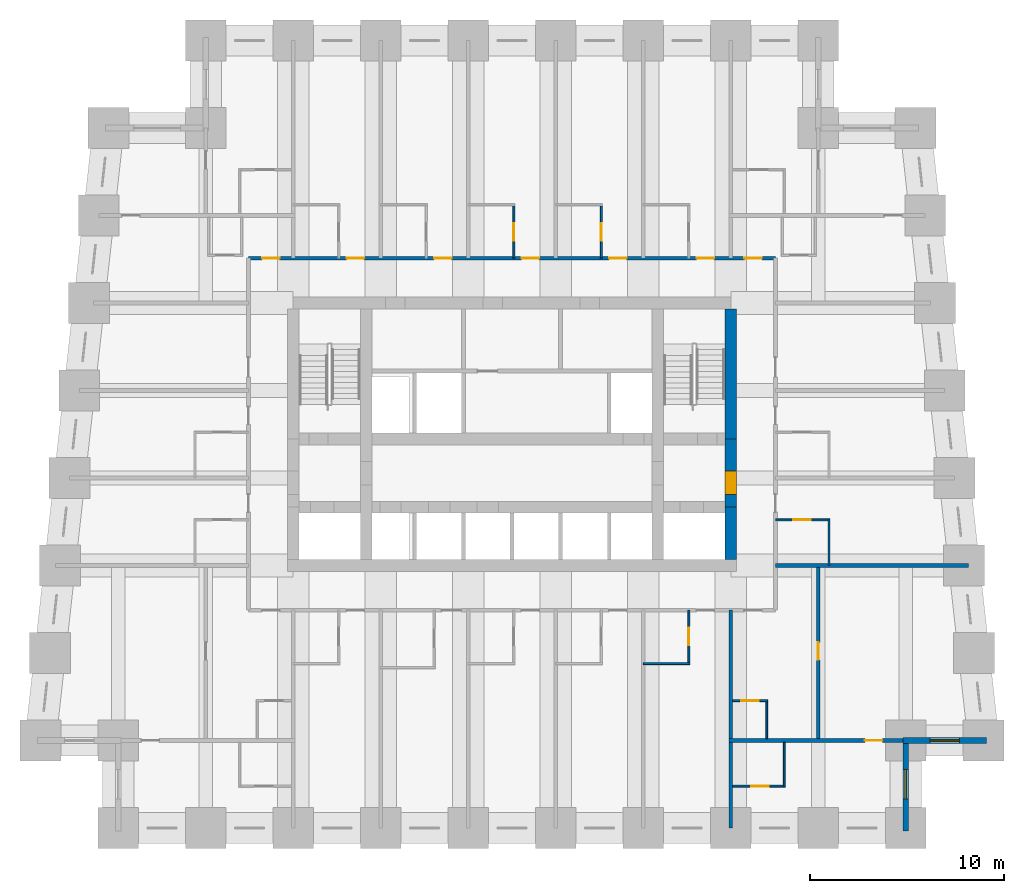
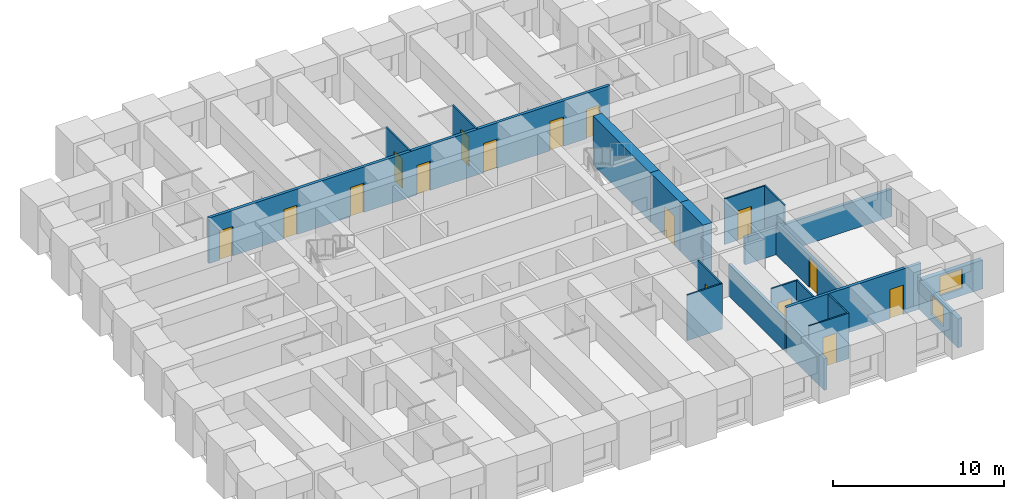
# One storey, part 5 of 8: 20 walls, 16 doors, 2 windows, 18 openings.
"""IFC4 building model written with IfcOpenShell, lengths in metres."""

from ifc_helpers import new_model, si_unit, direction, frame, frame_2d, origin, place, context, subcontext, project, spatial, rectangle, extrude, material, layer, layer_set, type_object, element, fill, save


model = new_model("IFC4")

# Units and contexts
model_context = context("Model", 3, precision=1e-05, world=origin(), true_north=direction((0.0, 1.0)))
body_context = subcontext(model_context, "Body", "Model", "MODEL_VIEW")
ifc_project = project(units=[si_unit("LENGTHUNIT", "METRE"), si_unit("AREAUNIT", "SQUARE_METRE"), si_unit("VOLUMEUNIT", "CUBIC_METRE"), si_unit("PLANEANGLEUNIT", "RADIAN"), si_unit("MASSUNIT", "GRAM", prefix="KILO")], contexts=[model_context])

# Site, building, storey
site_placement = place(None, origin())
site = spatial("IfcSite", under=ifc_project, at=site_placement, CompositionType="ELEMENT")
building_placement = place(site_placement, origin())
building = spatial("IfcBuilding", under=site, at=building_placement, Name="Kilele Tower Hotel", CompositionType="ELEMENT")
storey_placement = place(building_placement, frame((0.0, 0.0, 33.199951171875)))
storey = spatial("IfcBuildingStorey", under=building, at=storey_placement, Name="L06", CompositionType="ELEMENT", Elevation=33.199951171875)

# Wall
ifc_material_1 = material(Name="Moisture-resistant board")
ifc_layer_1 = layer(ifc_material_1, 0.10009765625)
ifc_layer_set_1 = layer_set([ifc_layer_1], Name="Moisture-resistant board")
wall_type_1 = type_object("IfcWallType", Name="Bathroom partition 100", PredefinedType="PLUMBINGWALL", material=ifc_layer_set_1)
wall_1_placement = place(storey_placement, frame((31.5, 8.449951171875, 0.0), z_axis=(0.0, 0.0, 1.0), x_axis=(1.0, 0.0, 0.0)))
element("IfcWall", 1, at=wall_1_placement, inside=storey, type_object=wall_type_1, Name="Bathroom partition 100 L06", PredefinedType="PLUMBINGWALL", context=body_context, shape_type="SweptSolid", body=[
    extrude(rectangle(XDim=2.39990234375, YDim=0.10009765625, at=frame_2d((1.199951171875, 0.0))), origin(), (0.0, 0.0, 1.0), 3.25),
])

# Wall, opening, door
wall_2_placement = place(storey_placement, frame((33.85009765625, 11.199951171875, 0.0), z_axis=(0.0, 0.0, 1.0), x_axis=(0.0, -1.0, 0.0)))
wall_2 = element("IfcWall", 2, at=wall_2_placement, inside=storey, type_object=wall_type_1, Name="Bathroom partition 100 L06", PredefinedType="PLUMBINGWALL", context=body_context, shape_type="SweptSolid", body=[
    extrude(rectangle(XDim=2.800048828125, YDim=0.10009765625, at=frame_2d((1.39990234375, 0.0))), origin(), (0.0, 0.0, 1.0), 3.25),
])
opening_1_placement = place(wall_2_placement, frame((0.89990234375, 0.0, 0.0)))
opening_1 = element("IfcOpeningElement", 3, at=opening_1_placement, cuts=wall_2, Name="Opening D2A", PredefinedType="OPENING", context=body_context, shape_type="SweptSolid", body=[
    extrude(rectangle(XDim=0.89990234375, YDim=2.10009765625, at=frame_2d((0.449951171875, 1.050048828125))), frame((0.0, 0.06005859375, 0.0), z_axis=(0.0, -1.0, 0.0), x_axis=(1.0, 0.0, 0.0)), (0.0, 0.0, 1.0), 0.1201171875),
])
ifc_material_2 = material(Name="Timber door leaf in hardwood frame", Category="wood")
door_type_1 = type_object("IfcDoorType", Name="Bathroom door 900", OperationType="SINGLE_SWING_LEFT", PredefinedType="DOOR", material=ifc_material_2)
door_1_placement = place(opening_1_placement, origin())
door_1 = element("IfcDoor", 4, at=door_1_placement, inside=storey, type_object=door_type_1, Name="Bathroom door 0605B", OperationType="SINGLE_SWING_LEFT", OverallHeight=2.10009765625, OverallWidth=0.89990234375, PredefinedType="DOOR", context=body_context, shape_type="SweptSolid", body=[
    extrude(rectangle(XDim=0.89990234375, YDim=2.10009765625, at=frame_2d((0.449951171875, 1.050048828125))), frame((0.0, 0.02490234375, 0.0), z_axis=(0.0, -1.0, 0.0), x_axis=(1.0, 0.0, 0.0)), (0.0, 0.0, 1.0), 0.050048828125),
])
fill(opening_1, door_1)

# Wall
wall_3_placement = place(storey_placement, frame((41.050048828125, 13.5, 0.0), z_axis=(0.0, 0.0, 1.0), x_axis=(0.0, 1.0, 0.0)))
element("IfcWall", 5, at=wall_3_placement, inside=storey, type_object=wall_type_1, Name="Bathroom partition 100 L06", PredefinedType="PLUMBINGWALL", context=body_context, shape_type="SweptSolid", body=[
    extrude(rectangle(XDim=2.39990234375, YDim=0.10009765625, at=frame_2d((1.199951171875, 0.0))), origin(), (0.0, 0.0, 1.0), 3.25),
])

# Wall, opening, door
wall_4_placement = place(storey_placement, frame((38.300048828125, 15.85009765625, 0.0), z_axis=(0.0, 0.0, 1.0), x_axis=(1.0, 0.0, 0.0)))
wall_4 = element("IfcWall", 6, at=wall_4_placement, inside=storey, type_object=wall_type_1, Name="Bathroom partition 100 L06", PredefinedType="PLUMBINGWALL", context=body_context, shape_type="SweptSolid", body=[
    extrude(rectangle(XDim=2.800048828125, YDim=0.10009765625, at=frame_2d((1.39990234375, 0.0))), origin(), (0.0, 0.0, 1.0), 3.25),
])
opening_2_placement = place(wall_4_placement, frame((0.89990234375, 0.0, 0.0)))
opening_2 = element("IfcOpeningElement", 7, at=opening_2_placement, cuts=wall_4, Name="Opening D2A", PredefinedType="OPENING", context=body_context, shape_type="SweptSolid", body=[
    extrude(rectangle(XDim=0.89990234375, YDim=2.10009765625, at=frame_2d((0.449951171875, 1.050048828125))), frame((0.0, 0.06005859375, 0.0), z_axis=(0.0, -1.0, 0.0), x_axis=(1.0, 0.0, 0.0)), (0.0, 0.0, 1.0), 0.1201171875),
])
door_2_placement = place(opening_2_placement, origin())
door_2 = element("IfcDoor", 8, at=door_2_placement, inside=storey, type_object=door_type_1, Name="Bathroom door 0606B", OperationType="SINGLE_SWING_LEFT", OverallHeight=2.10009765625, OverallWidth=0.89990234375, PredefinedType="DOOR", context=body_context, shape_type="SweptSolid", body=[
    extrude(rectangle(XDim=0.89990234375, YDim=2.10009765625, at=frame_2d((0.449951171875, 1.050048828125))), frame((0.0, 0.02490234375, 0.0), z_axis=(0.0, -1.0, 0.0), x_axis=(1.0, 0.0, 0.0)), (0.0, 0.0, 1.0), 0.050048828125),
])
fill(opening_2, door_2)

wall_5_placement = place(storey_placement, frame((24.85009765625, 29.300048828125, 0.0), z_axis=(0.0, 0.0, 1.0), x_axis=(0.0, 1.0, 0.0)))
wall_5 = element("IfcWall", 9, at=wall_5_placement, inside=storey, type_object=wall_type_1, Name="Bathroom partition 100 L06", PredefinedType="PLUMBINGWALL", context=body_context, shape_type="SweptSolid", body=[
    extrude(rectangle(XDim=2.800048828125, YDim=0.10009765625, at=frame_2d((1.39990234375, 0.0))), origin(), (0.0, 0.0, 1.0), 3.25),
])
opening_3_placement = place(wall_5_placement, frame((1.7998046875, 0.0, 0.0), z_axis=(0.0, 0.0, 1.0), x_axis=(-1.0, 0.0, 0.0)))
opening_3 = element("IfcOpeningElement", 10, at=opening_3_placement, cuts=wall_5, Name="Opening D2A", PredefinedType="OPENING", context=body_context, shape_type="SweptSolid", body=[
    extrude(rectangle(XDim=0.89990234375, YDim=2.10009765625, at=frame_2d((0.449951171875, 1.050048828125))), frame((0.0, 0.06005859375, 0.0), z_axis=(0.0, -1.0, 0.0), x_axis=(1.0, 0.0, 0.0)), (0.0, 0.0, 1.0), 0.1201171875),
])
door_3_placement = place(opening_3_placement, origin())
door_3 = element("IfcDoor", 11, at=door_3_placement, inside=storey, type_object=door_type_1, Name="Bathroom door 0611B", OperationType="SINGLE_SWING_RIGHT", OverallHeight=2.10009765625, OverallWidth=0.89990234375, PredefinedType="DOOR", context=body_context, shape_type="SweptSolid", body=[
    extrude(rectangle(XDim=0.89990234375, YDim=2.10009765625, at=frame_2d((0.449951171875, 1.050048828125))), frame((0.0, 0.02490234375, 0.0), z_axis=(0.0, -1.0, 0.0), x_axis=(1.0, 0.0, 0.0)), (0.0, 0.0, 1.0), 0.050048828125),
])
fill(opening_3, door_3)

wall_6_placement = place(storey_placement, frame((29.35009765625, 29.300048828125, 0.0), z_axis=(0.0, 0.0, 1.0), x_axis=(0.0, 1.0, 0.0)))
wall_6 = element("IfcWall", 12, at=wall_6_placement, inside=storey, type_object=wall_type_1, Name="Bathroom partition 100 L06", PredefinedType="PLUMBINGWALL", context=body_context, shape_type="SweptSolid", body=[
    extrude(rectangle(XDim=2.800048828125, YDim=0.10009765625, at=frame_2d((1.39990234375, 0.0))), origin(), (0.0, 0.0, 1.0), 3.25),
])
opening_4_placement = place(wall_6_placement, frame((1.7998046875, 0.0, 0.0), z_axis=(0.0, 0.0, 1.0), x_axis=(-1.0, 0.0, 0.0)))
opening_4 = element("IfcOpeningElement", 13, at=opening_4_placement, cuts=wall_6, Name="Opening D2A", PredefinedType="OPENING", context=body_context, shape_type="SweptSolid", body=[
    extrude(rectangle(XDim=0.89990234375, YDim=2.10009765625, at=frame_2d((0.449951171875, 1.050048828125))), frame((0.0, 0.06005859375, 0.0), z_axis=(0.0, -1.0, 0.0), x_axis=(1.0, 0.0, 0.0)), (0.0, 0.0, 1.0), 0.1201171875),
])
door_4_placement = place(opening_4_placement, origin())
door_4 = element("IfcDoor", 14, at=door_4_placement, inside=storey, type_object=door_type_1, Name="Bathroom door 0612B", OperationType="SINGLE_SWING_RIGHT", OverallHeight=2.10009765625, OverallWidth=0.89990234375, PredefinedType="DOOR", context=body_context, shape_type="SweptSolid", body=[
    extrude(rectangle(XDim=0.89990234375, YDim=2.10009765625, at=frame_2d((0.449951171875, 1.050048828125))), frame((0.0, 0.02490234375, 0.0), z_axis=(0.0, -1.0, 0.0), x_axis=(1.0, 0.0, 0.0)), (0.0, 0.0, 1.0), 0.050048828125),
])
fill(opening_4, door_4)

# Wall
wall_7_placement = place(storey_placement, frame((37.85009765625, 4.60009765625, 0.0), z_axis=(0.0, 0.0, 1.0), x_axis=(0.0, 1.0, 0.0)))
element("IfcWall", 15, at=wall_7_placement, inside=storey, type_object=wall_type_1, Name="Bathroom partition 100 L06", PredefinedType="PLUMBINGWALL", context=body_context, shape_type="SweptSolid", body=[
    extrude(rectangle(XDim=2.0, YDim=0.10009765625, at=frame_2d((1.0, 0.0))), origin(), (0.0, 0.0, 1.0), 3.25),
])

# Wall, opening, door
wall_8_placement = place(storey_placement, frame((36.10009765625, 6.550048828125, 0.0), z_axis=(0.0, 0.0, 1.0), x_axis=(1.0, 0.0, 0.0)))
wall_8 = element("IfcWall", 16, at=wall_8_placement, inside=storey, type_object=wall_type_1, Name="Bathroom partition 100 L06", PredefinedType="PLUMBINGWALL", context=body_context, shape_type="SweptSolid", body=[
    extrude(rectangle(XDim=1.7998046875, YDim=0.10009765625, at=frame_2d((0.89990234375, 0.0))), origin(), (0.0, 0.0, 1.0), 3.25),
])
opening_5_placement = place(wall_8_placement, frame((0.449951171875, 0.0, 0.0)))
opening_5 = element("IfcOpeningElement", 17, at=opening_5_placement, cuts=wall_8, Name="Opening D2A", PredefinedType="OPENING", context=body_context, shape_type="SweptSolid", body=[
    extrude(rectangle(XDim=0.89990234375, YDim=2.10009765625, at=frame_2d((0.449951171875, 1.050048828125))), frame((0.0, 0.06005859375, 0.0), z_axis=(0.0, -1.0, 0.0), x_axis=(1.0, 0.0, 0.0)), (0.0, 0.0, 1.0), 0.1201171875),
])
door_5_placement = place(opening_5_placement, origin())
door_5 = element("IfcDoor", 18, at=door_5_placement, inside=storey, type_object=door_type_1, Name="Bathroom door 0620P", OperationType="SINGLE_SWING_LEFT", OverallHeight=2.10009765625, OverallWidth=0.89990234375, PredefinedType="DOOR", context=body_context, shape_type="SweptSolid", body=[
    extrude(rectangle(XDim=0.89990234375, YDim=2.10009765625, at=frame_2d((0.449951171875, 1.050048828125))), frame((0.0, 0.02490234375, 0.0), z_axis=(0.0, -1.0, 0.0), x_axis=(1.0, 0.0, 0.0)), (0.0, 0.0, 1.0), 0.050048828125),
])
fill(opening_5, door_5)

# Wall
wall_9_placement = place(storey_placement, frame((38.75, 4.39990234375, 0.0), z_axis=(0.0, 0.0, 1.0), x_axis=(0.0, -1.0, 0.0)))
element("IfcWall", 19, at=wall_9_placement, inside=storey, type_object=wall_type_1, Name="Bathroom partition 100 L06", PredefinedType="PLUMBINGWALL", context=body_context, shape_type="SweptSolid", body=[
    extrude(rectangle(XDim=2.2998046875, YDim=0.10009765625, at=frame_2d((1.14990234375, 0.0))), origin(), (0.0, 0.0, 1.0), 3.25),
])

# Wall, opening, door
wall_10_placement = place(storey_placement, frame((36.10009765625, 2.14990234375, 0.0), z_axis=(0.0, 0.0, 1.0), x_axis=(1.0, 0.0, 0.0)))
wall_10 = element("IfcWall", 20, at=wall_10_placement, inside=storey, type_object=wall_type_1, Name="Bathroom partition 100 L06", PredefinedType="PLUMBINGWALL", context=body_context, shape_type="SweptSolid", body=[
    extrude(rectangle(XDim=2.699951171875, YDim=0.10009765625, at=frame_2d((1.35009765625, 0.0))), origin(), (0.0, 0.0, 1.0), 3.25),
])
opening_6_placement = place(wall_10_placement, frame((1.849853515625, 0.0, 0.0), z_axis=(0.0, 0.0, 1.0), x_axis=(-1.0, 0.0, 0.0)))
opening_6 = element("IfcOpeningElement", 21, at=opening_6_placement, cuts=wall_10, Name="Opening D2A", PredefinedType="OPENING", context=body_context, shape_type="SweptSolid", body=[
    extrude(rectangle(XDim=0.89990234375, YDim=2.10009765625, at=frame_2d((0.449951171875, 1.050048828125))), frame((0.0, 0.06005859375, 0.0), z_axis=(0.0, -1.0, 0.0), x_axis=(1.0, 0.0, 0.0)), (0.0, 0.0, 1.0), 0.1201171875),
])
door_6_placement = place(opening_6_placement, origin())
door_6 = element("IfcDoor", 22, at=door_6_placement, inside=storey, type_object=door_type_1, Name="Bathroom door 0622B", OperationType="SINGLE_SWING_RIGHT", OverallHeight=2.10009765625, OverallWidth=0.89990234375, PredefinedType="DOOR", context=body_context, shape_type="SweptSolid", body=[
    extrude(rectangle(XDim=0.89990234375, YDim=2.10009765625, at=frame_2d((0.449951171875, 1.050048828125))), frame((0.0, 0.02490234375, 0.0), z_axis=(0.0, -1.0, 0.0), x_axis=(1.0, 0.0, 0.0)), (0.0, 0.0, 1.0), 0.050048828125),
])
fill(opening_6, door_6)

# Wall
ifc_material_3 = material(Name="Concrete C60/75", Category="concrete")
ifc_layer_2 = layer(ifc_material_3, 0.60009765625)
ifc_layer_set_2 = layer_set([ifc_layer_2], Name="Concrete C60/75")
wall_type_2 = type_object("IfcWallType", Name="Core wall 600 C60/75", PredefinedType="SHEAR", material=ifc_layer_set_2)
wall_11_placement = place(storey_placement, frame((36.0, 13.800048828125, 0.0), z_axis=(0.0, 0.0, 1.0), x_axis=(0.0, 1.0, 0.0)))
element("IfcWall", 23, at=wall_11_placement, inside=storey, type_object=wall_type_2, Name="Core wall E1 L06", PredefinedType="SHEAR", context=body_context, shape_type="SweptSolid", body=[
    extrude(rectangle(XDim=2.699951171875, YDim=0.60009765625, at=frame_2d((1.35009765625, 0.0))), origin(), (0.0, 0.0, 1.0), 3.5),
])

# Wall, opening, door
wall_12_placement = place(storey_placement, frame((36.0, 16.5, 0.0), z_axis=(0.0, 0.0, 1.0), x_axis=(0.0, 1.0, 0.0)))
wall_12 = element("IfcWall", 24, at=wall_12_placement, inside=storey, type_object=wall_type_2, Name="Core wall E2 L06", PredefinedType="SHEAR", context=body_context, shape_type="SweptSolid", body=[
    extrude(rectangle(XDim=3.5, YDim=0.60009765625, at=frame_2d((1.75, 0.0))), origin(), (0.0, 0.0, 1.0), 3.5),
])
opening_7_placement = place(wall_12_placement, frame((0.64990234375, 0.0, 0.0)))
opening_7 = element("IfcOpeningElement", 25, at=opening_7_placement, cuts=wall_12, Name="Opening D4", PredefinedType="OPENING", context=body_context, shape_type="SweptSolid", body=[
    extrude(rectangle(XDim=1.199951171875, YDim=2.10009765625, at=frame_2d((0.60009765625, 1.050048828125))), frame((0.0, 0.31005859375, 0.0), z_axis=(0.0, -1.0, 0.0), x_axis=(1.0, 0.0, 0.0)), (0.0, 0.0, 1.0), 0.6201171875),
])
ifc_material_4 = material(Name="Timber door leaf in hardwood frame", Category="wood")
door_type_2 = type_object("IfcDoorType", Name="Firefighting lobby door 1200", OperationType="SINGLE_SWING_LEFT", PredefinedType="DOOR", material=ifc_material_4)
door_7_placement = place(opening_7_placement, origin())
door_7 = element("IfcDoor", 26, at=door_7_placement, inside=storey, type_object=door_type_2, Name="Lobby door L06", OperationType="SINGLE_SWING_LEFT", OverallHeight=2.10009765625, OverallWidth=1.199951171875, PredefinedType="DOOR", context=body_context, shape_type="SweptSolid", body=[
    extrude(rectangle(XDim=1.199951171875, YDim=2.10009765625, at=frame_2d((0.60009765625, 1.050048828125))), frame((0.0, 0.2998046875, 0.0), z_axis=(0.0, -1.0, 0.0), x_axis=(1.0, 0.0, 0.0)), (0.0, 0.0, 1.0), 0.599609375),
])
fill(opening_7, door_7)

# Wall
wall_13_placement = place(storey_placement, frame((36.0, 20.0, 0.0), z_axis=(0.0, 0.0, 1.0), x_axis=(0.0, 1.0, 0.0)))
element("IfcWall", 27, at=wall_13_placement, inside=storey, type_object=wall_type_2, Name="Core wall E3 L06", PredefinedType="SHEAR", context=body_context, shape_type="SweptSolid", body=[
    extrude(rectangle(XDim=6.699951171875, YDim=0.60009765625, at=frame_2d((3.35009765625, 0.0))), origin(), (0.0, 0.0, 1.0), 3.5),
])

# Wall, openings, doors
ifc_material_5 = material(Name="Blockwork, plastered both sides", Category="masonry")
ifc_layer_3 = layer(ifc_material_5, 0.199951171875)
ifc_layer_set_3 = layer_set([ifc_layer_3], Name="Blockwork, plastered both sides")
wall_type_3 = type_object("IfcWallType", Name="Corridor wall 200", PredefinedType="PARTITIONING", material=ifc_layer_set_3)
wall_14_placement = place(storey_placement, frame((11.199951171875, 29.300048828125, 0.0), z_axis=(0.0, 0.0, 1.0), x_axis=(1.0, 0.0, 0.0)))
wall_14 = element("IfcWall", 28, at=wall_14_placement, inside=storey, type_object=wall_type_3, Name="Corridor wall 200 L06", PredefinedType="PARTITIONING", context=body_context, shape_type="SweptSolid", body=[
    extrude(rectangle(XDim=27.10009765625, YDim=0.199951171875, at=frame_2d((13.550048828125, 0.0))), origin(), (0.0, 0.0, 1.0), 3.25),
])
opening_8_placement = place(wall_14_placement, frame((5.050048828125, 0.0, 0.0)))
opening_8 = element("IfcOpeningElement", 29, at=opening_8_placement, cuts=wall_14, Name="Opening D1", PredefinedType="OPENING", context=body_context, shape_type="SweptSolid", body=[
    extrude(rectangle(XDim=0.89990234375, YDim=2.10009765625, at=frame_2d((0.449951171875, 1.050048828125))), frame((0.0, 0.10986328125, 0.0), z_axis=(0.0, -1.0, 0.0), x_axis=(1.0, 0.0, 0.0)), (0.0, 0.0, 1.0), 0.219970703125),
])
opening_9_placement = place(wall_14_placement, frame((9.550048828125, 0.0, 0.0)))
opening_9 = element("IfcOpeningElement", 30, at=opening_9_placement, cuts=wall_14, Name="Opening D1", PredefinedType="OPENING", context=body_context, shape_type="SweptSolid", body=[
    extrude(rectangle(XDim=0.89990234375, YDim=2.10009765625, at=frame_2d((0.449951171875, 1.050048828125))), frame((0.0, 0.10986328125, 0.0), z_axis=(0.0, -1.0, 0.0), x_axis=(1.0, 0.0, 0.0)), (0.0, 0.0, 1.0), 0.219970703125),
])
opening_10_placement = place(wall_14_placement, frame((14.050048828125, 0.0, 0.0)))
opening_10 = element("IfcOpeningElement", 31, at=opening_10_placement, cuts=wall_14, Name="Opening D1", PredefinedType="OPENING", context=body_context, shape_type="SweptSolid", body=[
    extrude(rectangle(XDim=0.89990234375, YDim=2.10009765625, at=frame_2d((0.449951171875, 1.050048828125))), frame((0.0, 0.10986328125, 0.0), z_axis=(0.0, -1.0, 0.0), x_axis=(1.0, 0.0, 0.0)), (0.0, 0.0, 1.0), 0.219970703125),
])
opening_11_placement = place(wall_14_placement, frame((18.550048828125, 0.0, 0.0)))
opening_11 = element("IfcOpeningElement", 32, at=opening_11_placement, cuts=wall_14, Name="Opening D1", PredefinedType="OPENING", context=body_context, shape_type="SweptSolid", body=[
    extrude(rectangle(XDim=0.89990234375, YDim=2.10009765625, at=frame_2d((0.449951171875, 1.050048828125))), frame((0.0, 0.10986328125, 0.0), z_axis=(0.0, -1.0, 0.0), x_axis=(1.0, 0.0, 0.0)), (0.0, 0.0, 1.0), 0.219970703125),
])
opening_12_placement = place(wall_14_placement, frame((23.050048828125, 0.0, 0.0)))
opening_12 = element("IfcOpeningElement", 33, at=opening_12_placement, cuts=wall_14, Name="Opening D1", PredefinedType="OPENING", context=body_context, shape_type="SweptSolid", body=[
    extrude(rectangle(XDim=0.89990234375, YDim=2.10009765625, at=frame_2d((0.449951171875, 1.050048828125))), frame((0.0, 0.10986328125, 0.0), z_axis=(0.0, -1.0, 0.0), x_axis=(1.0, 0.0, 0.0)), (0.0, 0.0, 1.0), 0.219970703125),
])
opening_13_placement = place(wall_14_placement, frame((25.5, 0.0, 0.0)))
opening_13 = element("IfcOpeningElement", 34, at=opening_13_placement, cuts=wall_14, Name="Opening D1", PredefinedType="OPENING", context=body_context, shape_type="SweptSolid", body=[
    extrude(rectangle(XDim=0.89990234375, YDim=2.10009765625, at=frame_2d((0.449951171875, 1.050048828125))), frame((0.0, 0.10986328125, 0.0), z_axis=(0.0, -1.0, 0.0), x_axis=(1.0, 0.0, 0.0)), (0.0, 0.0, 1.0), 0.219970703125),
])
opening_14_placement = place(wall_14_placement, frame((0.699951171875, 0.0, 0.0)))
opening_14 = element("IfcOpeningElement", 35, at=opening_14_placement, cuts=wall_14, Name="Opening D1", PredefinedType="OPENING", context=body_context, shape_type="SweptSolid", body=[
    extrude(rectangle(XDim=0.89990234375, YDim=2.10009765625, at=frame_2d((0.449951171875, 1.050048828125))), frame((0.0, 0.10986328125, 0.0), z_axis=(0.0, -1.0, 0.0), x_axis=(1.0, 0.0, 0.0)), (0.0, 0.0, 1.0), 0.219970703125),
])
ifc_material_6 = material(Name="Timber door leaf in hardwood frame", Category="wood")
door_type_3 = type_object("IfcDoorType", Name="Guest room entrance door 900", OperationType="SINGLE_SWING_LEFT", PredefinedType="DOOR", material=ifc_material_6)
door_8_placement = place(opening_8_placement, origin())
door_8 = element("IfcDoor", 36, at=door_8_placement, inside=storey, type_object=door_type_3, Name="Room entrance 0609", OperationType="SINGLE_SWING_LEFT", OverallHeight=2.10009765625, OverallWidth=0.89990234375, PredefinedType="DOOR", context=body_context, shape_type="SweptSolid", body=[
    extrude(rectangle(XDim=0.89990234375, YDim=2.10009765625, at=frame_2d((0.449951171875, 1.050048828125))), frame((0.0, 0.02490234375, 0.0), z_axis=(0.0, -1.0, 0.0), x_axis=(1.0, 0.0, 0.0)), (0.0, 0.0, 1.0), 0.050048828125),
])
fill(opening_8, door_8)
door_9_placement = place(opening_9_placement, origin())
door_9 = element("IfcDoor", 37, at=door_9_placement, inside=storey, type_object=door_type_3, Name="Room entrance 0610", OperationType="SINGLE_SWING_LEFT", OverallHeight=2.10009765625, OverallWidth=0.89990234375, PredefinedType="DOOR", context=body_context, shape_type="SweptSolid", body=[
    extrude(rectangle(XDim=0.89990234375, YDim=2.10009765625, at=frame_2d((0.449951171875, 1.050048828125))), frame((0.0, 0.02490234375, 0.0), z_axis=(0.0, -1.0, 0.0), x_axis=(1.0, 0.0, 0.0)), (0.0, 0.0, 1.0), 0.050048828125),
])
fill(opening_9, door_9)
door_10_placement = place(opening_10_placement, origin())
door_10 = element("IfcDoor", 38, at=door_10_placement, inside=storey, type_object=door_type_3, Name="Room entrance 0611", OperationType="SINGLE_SWING_LEFT", OverallHeight=2.10009765625, OverallWidth=0.89990234375, PredefinedType="DOOR", context=body_context, shape_type="SweptSolid", body=[
    extrude(rectangle(XDim=0.89990234375, YDim=2.10009765625, at=frame_2d((0.449951171875, 1.050048828125))), frame((0.0, 0.02490234375, 0.0), z_axis=(0.0, -1.0, 0.0), x_axis=(1.0, 0.0, 0.0)), (0.0, 0.0, 1.0), 0.050048828125),
])
fill(opening_10, door_10)
door_11_placement = place(opening_11_placement, origin())
door_11 = element("IfcDoor", 39, at=door_11_placement, inside=storey, type_object=door_type_3, Name="Room entrance 0612", OperationType="SINGLE_SWING_LEFT", OverallHeight=2.10009765625, OverallWidth=0.89990234375, PredefinedType="DOOR", context=body_context, shape_type="SweptSolid", body=[
    extrude(rectangle(XDim=0.89990234375, YDim=2.10009765625, at=frame_2d((0.449951171875, 1.050048828125))), frame((0.0, 0.02490234375, 0.0), z_axis=(0.0, -1.0, 0.0), x_axis=(1.0, 0.0, 0.0)), (0.0, 0.0, 1.0), 0.050048828125),
])
fill(opening_11, door_11)
door_12_placement = place(opening_12_placement, origin())
door_12 = element("IfcDoor", 40, at=door_12_placement, inside=storey, type_object=door_type_3, Name="Room entrance 0613", OperationType="SINGLE_SWING_LEFT", OverallHeight=2.10009765625, OverallWidth=0.89990234375, PredefinedType="DOOR", context=body_context, shape_type="SweptSolid", body=[
    extrude(rectangle(XDim=0.89990234375, YDim=2.10009765625, at=frame_2d((0.449951171875, 1.050048828125))), frame((0.0, 0.02490234375, 0.0), z_axis=(0.0, -1.0, 0.0), x_axis=(1.0, 0.0, 0.0)), (0.0, 0.0, 1.0), 0.050048828125),
])
fill(opening_12, door_12)
door_13_placement = place(opening_13_placement, origin())
door_13 = element("IfcDoor", 41, at=door_13_placement, inside=storey, type_object=door_type_3, Name="Room entrance 0623", OperationType="SINGLE_SWING_LEFT", OverallHeight=2.10009765625, OverallWidth=0.89990234375, PredefinedType="DOOR", context=body_context, shape_type="SweptSolid", body=[
    extrude(rectangle(XDim=0.89990234375, YDim=2.10009765625, at=frame_2d((0.449951171875, 1.050048828125))), frame((0.0, 0.02490234375, 0.0), z_axis=(0.0, -1.0, 0.0), x_axis=(1.0, 0.0, 0.0)), (0.0, 0.0, 1.0), 0.050048828125),
])
fill(opening_13, door_13)
door_14_placement = place(opening_14_placement, origin())
door_14 = element("IfcDoor", 42, at=door_14_placement, inside=storey, type_object=door_type_3, Name="Room entrance 0626", OperationType="SINGLE_SWING_RIGHT", OverallHeight=2.10009765625, OverallWidth=0.89990234375, PredefinedType="DOOR", context=body_context, shape_type="SweptSolid", body=[
    extrude(rectangle(XDim=0.89990234375, YDim=2.10009765625, at=frame_2d((0.449951171875, 1.050048828125))), frame((0.0, 0.02490234375, 0.0), z_axis=(0.0, -1.0, 0.0), x_axis=(1.0, 0.0, 0.0)), (0.0, 0.0, 1.0), 0.050048828125),
])
fill(opening_14, door_14)

# Wall, opening, door
ifc_material_7 = material(Name="Blockwork, plastered both sides", Category="masonry")
ifc_layer_4 = layer(ifc_material_7, 0.199951171875)
ifc_layer_set_4 = layer_set([ifc_layer_4], Name="Blockwork, plastered both sides")
wall_type_4 = type_object("IfcWallType", Name="Partition wall 200", PredefinedType="PARTITIONING", material=ifc_layer_set_4)
wall_15_placement = place(storey_placement, frame((40.5, 4.60009765625, 0.0), z_axis=(0.0, 0.0, 1.0), x_axis=(0.0, 1.0, 0.0)))
wall_15 = element("IfcWall", 43, at=wall_15_placement, inside=storey, type_object=wall_type_4, Name="Partition wall 200 L06", PredefinedType="PARTITIONING", context=body_context, shape_type="SweptSolid", body=[
    extrude(rectangle(XDim=8.7998046875, YDim=0.199951171875, at=frame_2d((4.39990234375, 0.0))), origin(), (0.0, 0.0, 1.0), 2.25),
])
opening_15_placement = place(wall_15_placement, frame((4.050048828125, 0.0, 0.0)))
opening_15 = element("IfcOpeningElement", 44, at=opening_15_placement, cuts=wall_15, Name="Opening D3", PredefinedType="OPENING", context=body_context, shape_type="SweptSolid", body=[
    extrude(rectangle(XDim=0.89990234375, YDim=2.10009765625, at=frame_2d((0.449951171875, 1.050048828125))), frame((0.0, 0.10986328125, 0.0), z_axis=(0.0, -1.0, 0.0), x_axis=(1.0, 0.0, 0.0)), (0.0, 0.0, 1.0), 0.219970703125),
])
ifc_material_8 = material(Name="Timber door leaf in hardwood frame", Category="wood")
door_type_4 = type_object("IfcDoorType", Name="Suite internal door 900", OperationType="SINGLE_SWING_LEFT", PredefinedType="DOOR", material=ifc_material_8)
door_15_placement = place(opening_15_placement, origin())
door_15 = element("IfcDoor", 45, at=door_15_placement, inside=storey, type_object=door_type_4, Name="Suite door 0621", OperationType="SINGLE_SWING_RIGHT", OverallHeight=2.10009765625, OverallWidth=0.89990234375, PredefinedType="DOOR", context=body_context, shape_type="SweptSolid", body=[
    extrude(rectangle(XDim=0.89990234375, YDim=2.10009765625, at=frame_2d((0.449951171875, 1.050048828125))), frame((0.0, 0.02490234375, 0.0), z_axis=(0.0, -1.0, 0.0), x_axis=(1.0, 0.0, 0.0)), (0.0, 0.0, 1.0), 0.050048828125),
])
fill(opening_15, door_15)

# Walls
ifc_material_9 = material(Name="Blockwork, plastered both sides", Category="masonry")
ifc_layer_5 = layer(ifc_material_9, 0.199951171875)
ifc_layer_set_5 = layer_set([ifc_layer_5], Name="Blockwork, plastered both sides")
wall_type_5 = type_object("IfcWallType", Name="Party wall 200", PredefinedType="PARTITIONING", material=ifc_layer_set_5)
wall_16_placement = place(storey_placement, frame((38.300048828125, 13.5, 0.0), z_axis=(0.0, 0.0, 1.0), x_axis=(1.0, 0.0, 0.0)))
element("IfcWall", 46, at=wall_16_placement, inside=storey, type_object=wall_type_5, Name="Party wall 200 L06", PredefinedType="PARTITIONING", context=body_context, shape_type="SweptSolid", body=[
    extrude(rectangle(XDim=9.921142578125, YDim=0.199951171875, at=frame_2d((4.96044921875, 0.0))), origin(), (0.0, 0.0, 1.0), 1.949951171875),
])
wall_17_placement = place(storey_placement, frame((36.0, 11.199951171875, 0.0), z_axis=(0.0, 0.0, 1.0), x_axis=(0.0, -1.0, 0.0)))
element("IfcWall", 47, at=wall_17_placement, inside=storey, type_object=wall_type_5, Name="Party wall 200 L06", PredefinedType="PARTITIONING", context=body_context, shape_type="SweptSolid", body=[
    extrude(rectangle(XDim=11.199951171875, YDim=0.199951171875, at=frame_2d((5.60009765625, 0.0))), origin(), (0.0, 0.0, 1.0), 2.25),
])

# Wall, opening, door
wall_18_placement = place(storey_placement, frame((35.89990234375, 4.5, 0.0), z_axis=(0.0, 0.0, 1.0), x_axis=(1.0, 0.0, 0.0)))
wall_18 = element("IfcWall", 48, at=wall_18_placement, inside=storey, type_object=wall_type_5, Name="Party wall 200 L06", PredefinedType="PARTITIONING", context=body_context, shape_type="SweptSolid", body=[
    extrude(rectangle(XDim=9.10009765625, YDim=0.199951171875, at=frame_2d((4.550048828125, 0.0))), origin(), (0.0, 0.0, 1.0), 3.25),
])
opening_16_placement = place(wall_18_placement, frame((7.0, 0.0, 0.0)))
opening_16 = element("IfcOpeningElement", 49, at=opening_16_placement, cuts=wall_18, Name="Opening D3", PredefinedType="OPENING", context=body_context, shape_type="SweptSolid", body=[
    extrude(rectangle(XDim=0.89990234375, YDim=2.10009765625, at=frame_2d((0.449951171875, 1.050048828125))), frame((0.0, 0.10986328125, 0.0), z_axis=(0.0, -1.0, 0.0), x_axis=(1.0, 0.0, 0.0)), (0.0, 0.0, 1.0), 0.219970703125),
])
door_16_placement = place(opening_16_placement, origin())
door_16 = element("IfcDoor", 50, at=door_16_placement, inside=storey, type_object=door_type_4, Name="Suite door 0622", OperationType="SINGLE_SWING_RIGHT", OverallHeight=2.10009765625, OverallWidth=0.89990234375, PredefinedType="DOOR", context=body_context, shape_type="SweptSolid", body=[
    extrude(rectangle(XDim=0.89990234375, YDim=2.10009765625, at=frame_2d((0.449951171875, 1.050048828125))), frame((0.0, 0.02490234375, 0.0), z_axis=(0.0, -1.0, 0.0), x_axis=(1.0, 0.0, 0.0)), (0.0, 0.0, 1.0), 0.050048828125),
])
fill(opening_16, door_16)

# Wall, opening, window
ifc_material_10 = material(Name="Concrete C40/50 precast", Category="concrete")
ifc_layer_6 = layer(ifc_material_10, 0.260009765625, Name="Precast backing", Category="LoadBearing")
ifc_material_11 = material(Name="Reconstituted stone finish", Category="masonry")
ifc_layer_7 = layer(ifc_material_11, 0.0400390625, Name="Face mix", Category="Finish")
ifc_layer_set_6 = layer_set([ifc_layer_6, ifc_layer_7], Name="Precast concrete C40/50, reconstituted stone finish")
wall_type_6 = type_object("IfcWallType", Name="Precast stone facade wall 300", PredefinedType="STANDARD", material=ifc_layer_set_6)
wall_19_placement = place(storey_placement, frame((45.0, -0.14990234375, 0.0), z_axis=(0.0, 0.0, 1.0), x_axis=(0.0, 1.0, 0.0)))
wall_19 = element("IfcWall", 51, at=wall_19_placement, inside=storey, type_object=wall_type_6, Name="Facade wall L06 edge 4", PredefinedType="STANDARD", context=body_context, shape_type="SweptSolid", body=[
    extrude(rectangle(XDim=4.7998046875, YDim=0.300048828125, at=frame_2d((2.39990234375, 0.0))), origin(), (0.0, 0.0, 1.0), 2.050048828125),
])
opening_17_placement = place(wall_19_placement, frame((1.64990234375, 0.0, 0.5)))
opening_17 = element("IfcOpeningElement", 52, at=opening_17_placement, cuts=wall_19, Name="Opening W1", PredefinedType="OPENING", context=body_context, shape_type="SweptSolid", body=[
    extrude(rectangle(XDim=1.5, YDim=1.39990234375, at=frame_2d((0.75, 0.699951171875))), frame((0.0, 0.159912109375, 0.0), z_axis=(0.0, -1.0, 0.0), x_axis=(1.0, 0.0, 0.0)), (0.0, 0.0, 1.0), 0.320068359375),
])
ifc_material_12 = material(Name="Aluminium frame, clear double glazing", Category="aluminium")
window_type = type_object("IfcWindowType", Name="Window W1 1500 x 1400", PartitioningType="SINGLE_PANEL", PredefinedType="WINDOW", material=ifc_material_12)
window_1_placement = place(opening_17_placement, origin())
window_1 = element("IfcWindow", 53, at=window_1_placement, inside=storey, type_object=window_type, Name="Window L06", OverallHeight=1.39990234375, OverallWidth=1.5, PartitioningType="SINGLE_PANEL", PredefinedType="WINDOW", context=body_context, shape_type="SweptSolid", body=[
    extrude(rectangle(XDim=1.5, YDim=1.39990234375, at=frame_2d((0.75, 0.699951171875))), frame((0.0, 0.030029296875, 0.0), z_axis=(0.0, -1.0, 0.0), x_axis=(1.0, 0.0, 0.0)), (0.0, 0.0, 1.0), 0.06005859375),
])
fill(opening_17, window_1)

wall_20_placement = place(storey_placement, frame((44.85009765625, 4.5, 0.0), z_axis=(0.0, 0.0, 1.0), x_axis=(1.0, 0.0, 0.0)))
wall_20 = element("IfcWall", 54, at=wall_20_placement, inside=storey, type_object=wall_type_6, Name="Facade wall L06 edge 5", PredefinedType="STANDARD", context=body_context, shape_type="SweptSolid", body=[
    extrude(rectangle(XDim=4.2998046875, YDim=0.300048828125, at=frame_2d((2.14990234375, 0.0))), origin(), (0.0, 0.0, 1.0), 2.050048828125),
])
opening_18_placement = place(wall_20_placement, frame((1.39990234375, 0.0, 0.5)))
opening_18 = element("IfcOpeningElement", 55, at=opening_18_placement, cuts=wall_20, Name="Opening W1", PredefinedType="OPENING", context=body_context, shape_type="SweptSolid", body=[
    extrude(rectangle(XDim=1.5, YDim=1.39990234375, at=frame_2d((0.75, 0.699951171875))), frame((0.0, 0.159912109375, 0.0), z_axis=(0.0, -1.0, 0.0), x_axis=(1.0, 0.0, 0.0)), (0.0, 0.0, 1.0), 0.320068359375),
])
window_2_placement = place(opening_18_placement, origin())
window_2 = element("IfcWindow", 56, at=window_2_placement, inside=storey, type_object=window_type, Name="Window L06", OverallHeight=1.39990234375, OverallWidth=1.5, PartitioningType="SINGLE_PANEL", PredefinedType="WINDOW", context=body_context, shape_type="SweptSolid", body=[
    extrude(rectangle(XDim=1.5, YDim=1.39990234375, at=frame_2d((0.75, 0.699951171875))), frame((0.0, 0.030029296875, 0.0), z_axis=(0.0, -1.0, 0.0), x_axis=(1.0, 0.0, 0.0)), (0.0, 0.0, 1.0), 0.06005859375),
])
fill(opening_18, window_2)

save(model, "model.ifc")
